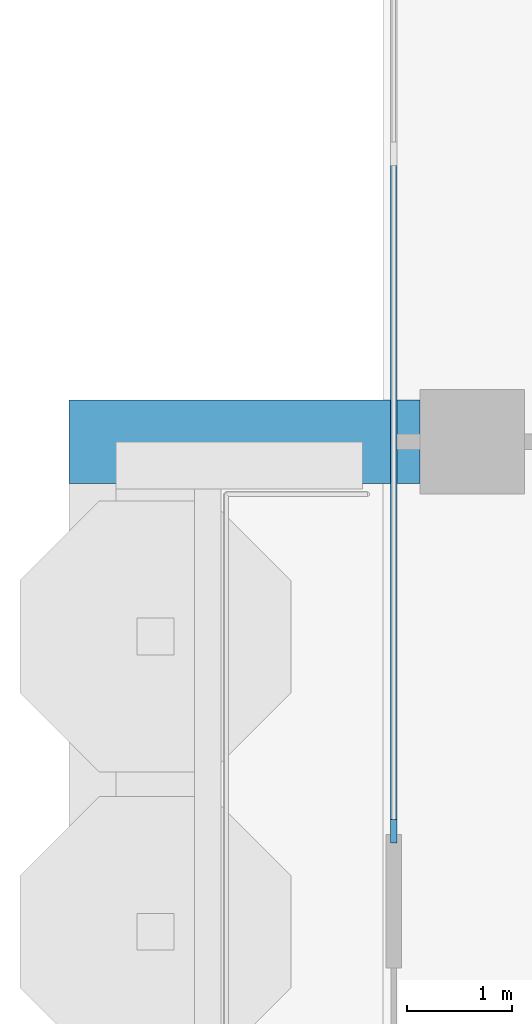
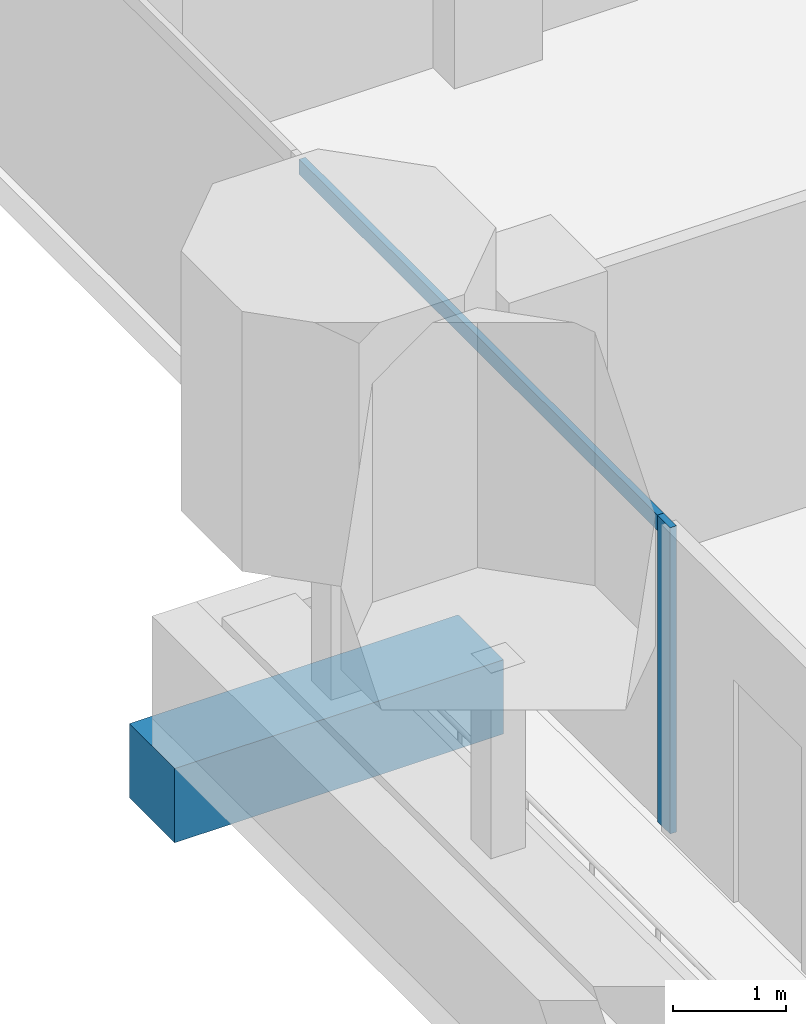
# One storey, part 3 of 18: 2 members, 1 beam, 1 element without a shape of its own.
"""IFC4 building model written with IfcOpenShell, lengths in metres."""

import ifcopenshell
import ifcopenshell.guid

model = None  # the IFC model being written
_history = None  # IfcOwnerHistory: only IFC2X3 demands one
_inside = {}  # id of a spatial element -> (the spatial element, [elements in it])
_under = {}  # id of a project, library or spatial element -> (it, [spatial elements below it])
_declared = {}  # id of a project -> (the project, [libraries it declares])
_typed = {}  # id of a type object -> (the type object, [elements of that type])
_made_of = {}  # id of a material, layer set ... -> (it, [elements and type objects made of it])


def new_model(schema):
    """Start an empty IFC model of exactly this schema.

    Asked for "IFC4X3", IfcOpenShell would pick the latest addendum, in which some entities
    have other attributes; the version numbers below select the first issue.
    IFC2X3 requires an IfcOwnerHistory on every rooted entity: one is made here for all.
    """
    global model, _history
    if schema == "IFC4X3":
        model = ifcopenshell.file(schema_version=(4, 3, 0, 0))
    else:
        model = ifcopenshell.file(schema=schema)
    _inside.clear()
    _under.clear()
    _declared.clear()
    _typed.clear()
    _made_of.clear()
    _history = None
    if model.schema == "IFC2X3":
        org = make("IfcOrganization", Name="unknown")
        user = make(
            "IfcPersonAndOrganization",
            ThePerson=make("IfcPerson", FamilyName="unknown"),
            TheOrganization=org,
        )
        app = make(
            "IfcApplication",
            ApplicationDeveloper=org,
            Version="unknown",
            ApplicationFullName="unknown",
            ApplicationIdentifier="unknown",
        )
        _history = make(
            "IfcOwnerHistory",
            OwningUser=user,
            OwningApplication=app,
            ChangeAction="ADDED",
            CreationDate=0,
        )
    return model


def make(cls, **values):
    """One entity of the class cls with the attributes given. An attribute that is None is left unset."""
    return model.create_entity(
        cls, **{name: value for name, value in values.items() if value is not None}
    )


def rooted(cls, **values):
    """An entity with a GlobalId (a new one), such as an element, a storey or a relation."""
    return make(cls, GlobalId=ifcopenshell.guid.new(), OwnerHistory=_history, **values)


def si_unit(unit_type, name, prefix=None):
    """IfcSIUnit, for example si_unit("LENGTHUNIT", "METRE", prefix="MILLI")."""
    return make("IfcSIUnit", UnitType=unit_type, Prefix=prefix, Name=name)


def assignment(units):
    """IfcUnitAssignment: the units of a project."""
    return None if units is None else make("IfcUnitAssignment", Units=units)


def point(xyz):
    """IfcCartesianPoint."""
    return None if xyz is None else make("IfcCartesianPoint", Coordinates=xyz)


def direction(xyz):
    """IfcDirection."""
    return None if xyz is None else make("IfcDirection", DirectionRatios=xyz)


def frame(location, z_axis=None, x_axis=None):
    """IfcAxis2Placement3D, a coordinate frame: its origin and axes. An axis left out is left unset."""
    return make(
        "IfcAxis2Placement3D",
        Location=point(location),
        Axis=direction(z_axis),
        RefDirection=direction(x_axis),
    )


def frame_2d(location, x_axis=None):
    """IfcAxis2Placement2D, a coordinate frame in the plane: its origin and x axis."""
    return make(
        "IfcAxis2Placement2D", Location=point(location), RefDirection=direction(x_axis)
    )


def origin():
    """The frame at (0, 0, 0) with its axes left unset."""
    return frame((0.0, 0.0, 0.0))


def origin_2d():
    """The frame at (0, 0) in the plane with its x axis left unset."""
    return frame_2d((0.0, 0.0))


def place(relative_to, where):
    """IfcLocalPlacement: puts the frame where relative to a parent placement (None: the world)."""
    return make(
        "IfcLocalPlacement", PlacementRelTo=relative_to, RelativePlacement=where
    )


def context(
    kind, dimensions, precision=None, world=None, true_north=None, identifier=None
):
    """IfcGeometricRepresentationContext, for example the 3D "Model" context."""
    return make(
        "IfcGeometricRepresentationContext",
        ContextIdentifier=identifier,
        ContextType=kind,
        CoordinateSpaceDimension=dimensions,
        Precision=precision,
        WorldCoordinateSystem=world,
        TrueNorth=true_north,
    )


def subcontext(parent, identifier, kind, view, scale=None):
    """IfcGeometricRepresentationSubContext, for example "Body" below "Model"."""
    return make(
        "IfcGeometricRepresentationSubContext",
        ContextIdentifier=identifier,
        ContextType=kind,
        ParentContext=parent,
        TargetScale=scale,
        TargetView=view,
    )


def project(units=None, contexts=None):
    """IfcProject with its units and contexts."""
    return rooted(
        "IfcProject",
        Name="project",
        RepresentationContexts=contexts,
        UnitsInContext=assignment(units),
    )


def spatial(cls, under=None, at=None, **own):
    """A site, building, storey or space (cls), placed at a placement, below another one or the project."""
    s = rooted(cls, ObjectPlacement=at, **own)
    if under is not None:
        _under.setdefault(under.id(), (under, []))[1].append(s)
    return s


def profile(cls, at=None, kind="AREA", **sizes):
    """A parametric profile (cls). Its sizes go by their IFC names, for example OverallWidth=200.0."""
    return make(cls, ProfileType=kind, Position=at, **sizes)


def rectangle(**sizes):
    """IfcRectangleProfileDef."""
    return profile("IfcRectangleProfileDef", **sizes)


def extrude(swept, where, along, depth):
    """IfcExtrudedAreaSolid: the profile swept, set in the frame where, extruded along a direction by depth."""
    return make(
        "IfcExtrudedAreaSolid",
        SweptArea=swept,
        Position=where,
        ExtrudedDirection=direction(along),
        Depth=depth,
    )


def shape(context_of_items, identifier, shape_type, items):
    """IfcShapeRepresentation: the items that make up one representation, for example the "Body"."""
    return make(
        "IfcShapeRepresentation",
        ContextOfItems=context_of_items,
        RepresentationIdentifier=identifier,
        RepresentationType=shape_type,
        Items=items,
    )


def material(Name=None, Category=None):
    """IfcMaterial."""
    return make("IfcMaterial", Name=Name, Category=Category)


def material_profile(
    of_material, cross_section, Name=None, Category=None, Priority=None
):
    """IfcMaterialProfile: a cross section and its material."""
    return make(
        "IfcMaterialProfile",
        Name=Name,
        Material=of_material,
        Profile=cross_section,
        Priority=Priority,
        Category=Category,
    )


def profile_set(profiles, Name=None, composite=None):
    """IfcMaterialProfileSet."""
    return make(
        "IfcMaterialProfileSet",
        Name=Name,
        MaterialProfiles=profiles,
        CompositeProfile=composite,
    )


def made_of(thing, what):
    """Note that an element or type object is made of a material, layer set ...; save() writes the relation."""
    if what is not None:
        _made_of.setdefault(what.id(), (what, []))[1].append(thing)
    return thing


def type_object(cls, material=None, **own):
    """A type object (cls), such as IfcWallType, which elements share."""
    return made_of(rooted(cls, **own), material)


def element(
    cls,
    number,
    at=None,
    inside=None,
    cuts=None,
    type_object=None,
    material=None,
    context=None,
    identifier="Body",
    shape_type=None,
    held_by="IfcProductDefinitionShape",
    body=None,
    shapes=None,
    **own,
):
    """One element of the class cls, such as IfcWall. Its Tag is "e" and its number.

    at: its placement. inside: the storey or other place that contains it. cuts: it is an
    opening in that element (IfcRelVoidsElement). A single representation is given by context,
    identifier, shape_type and body (its items); several are given by shapes. held_by: the class
    of the entity that holds the representations. save() writes the other relations.
    """
    e = rooted(cls, Tag="e%d" % number, ObjectPlacement=at, **own)
    if body is not None:
        shapes = [shape(context, identifier, shape_type, body)]
    if shapes is not None:
        e.Representation = make(held_by, Representations=shapes)
    if inside is not None:
        _inside.setdefault(inside.id(), (inside, []))[1].append(e)
    if cuts is not None:
        rooted(
            "IfcRelVoidsElement", RelatingBuildingElement=cuts, RelatedOpeningElement=e
        )
    if type_object is not None:
        _typed.setdefault(type_object.id(), (type_object, []))[1].append(e)
    return made_of(e, material)


def aggregate(whole, parts):
    """IfcRelAggregates: a whole, such as a stair, and the parts it consists of."""
    return rooted("IfcRelAggregates", RelatingObject=whole, RelatedObjects=parts)


def save(model, path):
    """Write the relations noted so far, then the file.

    IfcRelAggregates (storeys below a building ...), IfcRelContainedInSpatialStructure (elements
    in a storey), IfcRelDefinesByType, IfcRelAssociatesMaterial and IfcRelDeclares: one each for
    every whole, place, type object, material and project.
    """
    for whole, parts in _under.values():
        aggregate(whole, parts)
    for where, things in _inside.values():
        rooted(
            "IfcRelContainedInSpatialStructure",
            RelatedElements=things,
            RelatingStructure=where,
        )
    for kind, things in _typed.values():
        rooted("IfcRelDefinesByType", RelatedObjects=things, RelatingType=kind)
    for what, things in _made_of.values():
        rooted("IfcRelAssociatesMaterial", RelatedObjects=things, RelatingMaterial=what)
    for by, libraries in _declared.values():
        rooted("IfcRelDeclares", RelatingContext=by, RelatedDefinitions=libraries)
    model.write(path)


model = new_model("IFC4")

# Units and contexts
model_context = context("Model", 3, precision=1e-05, world=origin(), true_north=direction((0.0, 1.0)))
body_context = subcontext(model_context, "Body", "Model", "MODEL_VIEW")
ifc_project = project(units=[si_unit("LENGTHUNIT", "METRE"), si_unit("AREAUNIT", "SQUARE_METRE"), si_unit("VOLUMEUNIT", "CUBIC_METRE"), si_unit("PLANEANGLEUNIT", "RADIAN"), si_unit("MASSUNIT", "GRAM", prefix="KILO")], contexts=[model_context])

# Site, building, storey
site_placement = place(None, origin())
site = spatial("IfcSite", under=ifc_project, at=site_placement, CompositionType="ELEMENT")
building_placement = place(site_placement, origin())
building = spatial("IfcBuilding", under=site, at=building_placement, Name="Pilkhan Gate Tower", CompositionType="ELEMENT")
storey_placement = place(building_placement, frame((0.0, 0.0, 203.10009765625)))
storey = spatial("IfcBuildingStorey", under=building, at=storey_placement, Name="L52", CompositionType="ELEMENT", Elevation=203.10009765625)

# Beam
ifc_material_1 = material(Name="Concrete C50/60", Category="concrete")
ifc_material_profile_1 = material_profile(ifc_material_1, rectangle(XDim=0.800048828125, YDim=0.800048828125, at=origin_2d()), Name="RC 800x800")
ifc_profile_set_1 = profile_set([ifc_material_profile_1], Name="Concrete C50/60")
beam_type = type_object("IfcBeamType", Name="Cantilever beam CB2 RC 800x800 C50/60", PredefinedType="BEAM", material=ifc_profile_set_1)
beam_placement = place(storey_placement, frame((48.25, 67.5, -0.7001953125), z_axis=(-1.0, 0.0, 0.0), x_axis=(0.0, -1.0, 0.0)))
element("IfcBeam", 1, at=beam_placement, inside=storey, type_object=beam_type, Name="Balcony beam W.3 L52", PredefinedType="BEAM", context=body_context, shape_type="SweptSolid", body=[
    extrude(rectangle(XDim=0.800048828125, YDim=0.800048828125, at=origin_2d()), origin(), (0.0, 0.0, 1.0), 3.35009765625),
])

# Curtain wall, members
ifc_material_2 = material(Name="Pale anodised aluminium, clear low-iron double glazing", Category="aluminium")
curtain_wall_type = type_object("IfcCurtainWallType", Name="Office unitised curtain wall CW-O2", PredefinedType="USERDEFINED", material=ifc_material_2)
curtain_wall_placement = place(storey_placement, origin())
curtain_wall = element("IfcCurtainWall", 2, at=curtain_wall_placement, inside=storey, type_object=curtain_wall_type, Name="Office unitised curtain wall CW-O2 L52 W", ObjectType="UNITISED CURTAIN WALL", PredefinedType="USERDEFINED")
ifc_material_3 = material(Name="Pale anodised aluminium", Category="aluminium")
ifc_material_profile_2 = material_profile(ifc_material_3, rectangle(XDim=0.06494140625, YDim=0.22509765625, at=origin_2d()), Name="Mullion 225x65")
ifc_profile_set_2 = profile_set([ifc_material_profile_2], Name="Pale anodised aluminium")
member_type_1 = type_object("IfcMemberType", Name="Mullion CW-O2 225x65", PredefinedType="MULLION", material=ifc_profile_set_2)
member_1_placement = place(storey_placement, frame((48.0, 63.782470703125, 0.0), z_axis=(0.0, 0.0, 1.0), x_axis=(-1.0, 0.0, 0.0)))
member_1 = element("IfcMember", 3, at=member_1_placement, type_object=member_type_1, Name="CW-O2 mullion 1", PredefinedType="MULLION", context=body_context, shape_type="SweptSolid", body=[
    extrude(rectangle(XDim=0.06494140625, YDim=0.22509765625, at=origin_2d()), origin(), (0.0, 0.0, 1.0), 3.2998046875),
])
ifc_material_profile_3 = material_profile(ifc_material_3, rectangle(XDim=0.06494140625, YDim=0.1650390625, at=origin_2d()), Name="Transom 165x65")
ifc_profile_set_3 = profile_set([ifc_material_profile_3], Name="Pale anodised aluminium")
member_type_2 = type_object("IfcMemberType", Name="Transom CW-O2 165x65", PredefinedType="USERDEFINED", material=ifc_profile_set_3)
member_2_placement = place(storey_placement, frame((48.0, 63.81494140625, 3.21728515625), z_axis=(0.0, 1.0, 0.0), x_axis=(-1.0, 0.0, 0.0)))
member_2 = element("IfcMember", 4, at=member_2_placement, type_object=member_type_2, Name="CW-O2 transom 1", ObjectType="TRANSOM", PredefinedType="USERDEFINED", context=body_context, shape_type="SweptSolid", body=[
    extrude(rectangle(XDim=0.06494140625, YDim=0.1650390625, at=origin_2d()), origin(), (0.0, 0.0, 1.0), 6.402587890625),
])
aggregate(curtain_wall, [member_1, member_2])

save(model, "model.ifc")
